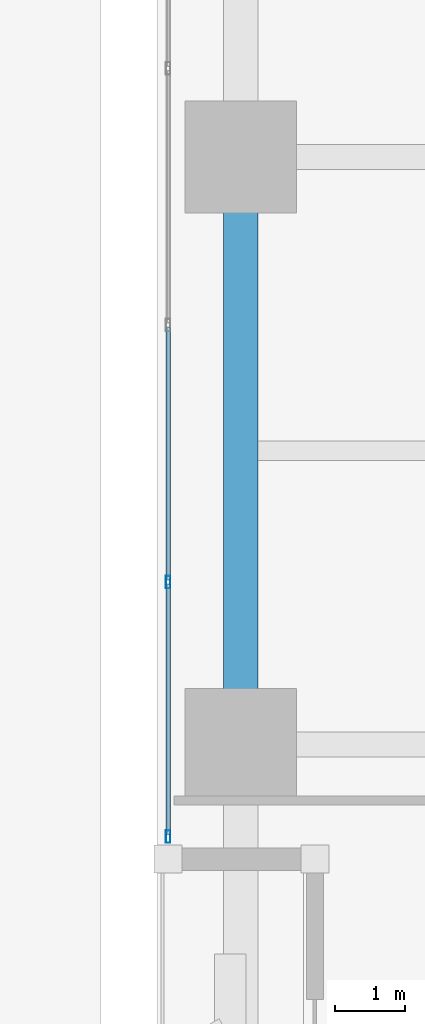
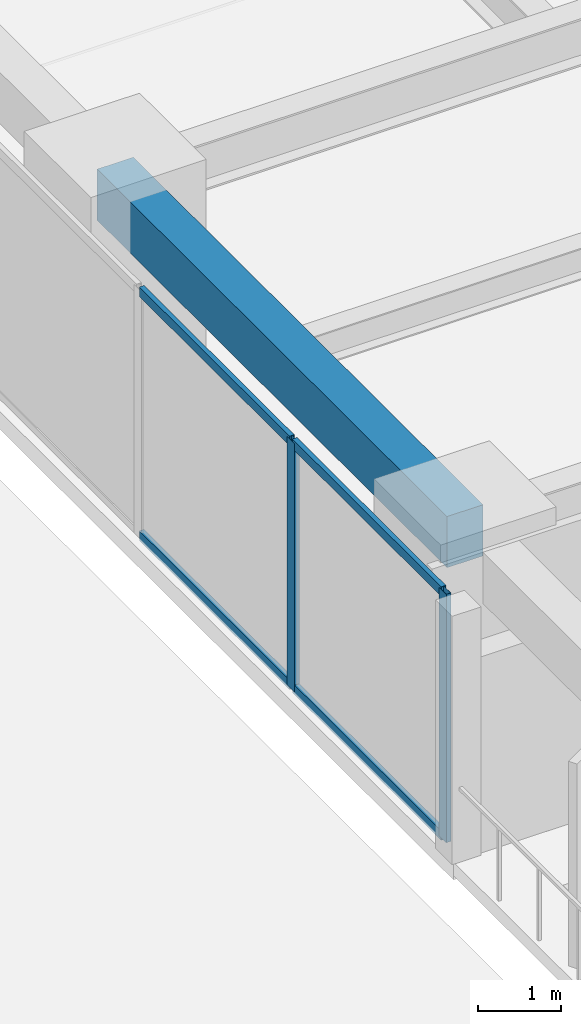
# One storey, part 2 of 38: 6 members, 1 beam, 1 element without a shape of its own.
"""IFC4 building model written with IfcOpenShell, lengths in metres."""

from ifc_helpers import new_model, si_unit, direction, frame, origin, origin_2d, place, context, subcontext, project, spatial, rectangle, hollow_rectangle, extrude, material, layer, layer_set, material_profile, profile_set, type_object, element, aggregate, save


model = new_model("IFC4")

# Units and contexts
model_context = context("Model", 3, precision=1e-05, world=origin(), true_north=direction((0.0, 1.0)))
body_context = subcontext(model_context, "Body", "Model", "MODEL_VIEW")
ifc_project = project(units=[si_unit("LENGTHUNIT", "METRE"), si_unit("AREAUNIT", "SQUARE_METRE"), si_unit("VOLUMEUNIT", "CUBIC_METRE"), si_unit("PLANEANGLEUNIT", "RADIAN"), si_unit("MASSUNIT", "GRAM", prefix="KILO")], contexts=[model_context])

# Site, building, storey
site_placement = place(None, origin())
site = spatial("IfcSite", under=ifc_project, at=site_placement, CompositionType="ELEMENT")
building_placement = place(site_placement, origin())
building = spatial("IfcBuilding", under=site, at=building_placement, Name="Kiyonajd Concourse Tower", CompositionType="ELEMENT")
storey_placement = place(building_placement, frame((0.0, 0.0, 21.60009765625)))
storey = spatial("IfcBuildingStorey", under=building, at=storey_placement, Name="L06", CompositionType="ELEMENT", Elevation=21.60009765625)

# Beam
ifc_material_1 = material(Name="Precast concrete C50/60", Category="concrete")
ifc_material_profile_1 = material_profile(ifc_material_1, rectangle(XDim=0.5, YDim=0.75, at=origin_2d()), Name="RCBM-500x750")
ifc_profile_set_1 = profile_set([ifc_material_profile_1], Name="Precast concrete C50/60")
beam_type = type_object("IfcBeamType", Name="BM-SPAN-RC", PredefinedType="SPANDREL", material=ifc_profile_set_1)
beam_placement = place(storey_placement, frame((19.199951171875, 44.39990234375, 3.264892578125), z_axis=(0.0, -1.0, 0.0), x_axis=(1.0, 0.0, 0.0)))
element("IfcBeam", 1, at=beam_placement, inside=storey, type_object=beam_type, Name="L06 Perimeter Bundled Tube Spandrel", PredefinedType="SPANDREL", context=body_context, shape_type="SweptSolid", body=[
    extrude(rectangle(XDim=0.5, YDim=0.75, at=origin_2d()), origin(), (0.0, 0.0, 1.0), 8.39990234375),
])

# Curtain wall, members
ifc_material_2 = material(Name="Thermally Broken Anodised Aluminium", Category="aluminium")
ifc_layer = layer(ifc_material_2, 0.179931640625)
ifc_layer_set = layer_set([ifc_layer], Name="Thermally Broken Anodised Aluminium")
curtain_wall_type = type_object("IfcCurtainWallType", Name="CW-SYS-02", PredefinedType="NOTDEFINED", material=ifc_layer_set)
curtain_wall_placement = place(storey_placement, origin())
curtain_wall = element("IfcCurtainWall", 2, at=curtain_wall_placement, inside=storey, type_object=curtain_wall_type, Name="L06 Unitised Curtain Wall CW2", PredefinedType="NOTDEFINED")
ifc_material_profile_2 = material_profile(ifc_material_2, hollow_rectangle(XDim=0.06494140625, YDim=0.179931640625, WallThickness=0.00390625, at=origin_2d()), Name="MULL-65x180")
ifc_profile_set_2 = profile_set([ifc_material_profile_2], Name="Thermally Broken Anodised Aluminium")
member_type_1 = type_object("IfcMemberType", Name="MB-CW-MULL1", PredefinedType="MULLION", material=ifc_profile_set_2)
member_1_placement = place(storey_placement, frame((18.159912109375, 34.6826171875, 0.0), z_axis=(0.0, 0.0, 1.0), x_axis=(-1.0, 0.0, 0.0)))
member_1 = element("IfcMember", 3, at=member_1_placement, type_object=member_type_1, Name="CW2 mullion 1", PredefinedType="MULLION", context=body_context, shape_type="SweptSolid", body=[
    extrude(hollow_rectangle(XDim=0.06494140625, YDim=0.179931640625, WallThickness=0.00390625, at=origin_2d()), origin(), (0.0, 0.0, 1.0), 3.639892578125),
])
member_2_placement = place(storey_placement, frame((18.159912109375, 38.3232421875, 0.0), z_axis=(0.0, 0.0, 1.0), x_axis=(-1.0, 0.0, 0.0)))
member_2 = element("IfcMember", 4, at=member_2_placement, type_object=member_type_1, Name="CW2 mullion 2", PredefinedType="MULLION", context=body_context, shape_type="SweptSolid", body=[
    extrude(hollow_rectangle(XDim=0.06494140625, YDim=0.179931640625, WallThickness=0.00390625, at=origin_2d()), origin(), (0.0, 0.0, 1.0), 3.639892578125),
])
ifc_material_profile_3 = material_profile(ifc_material_2, hollow_rectangle(XDim=0.06494140625, YDim=0.139892578125, WallThickness=0.00390625, at=origin_2d()), Name="TRAN-65x140")
ifc_profile_set_3 = profile_set([ifc_material_profile_3], Name="Thermally Broken Anodised Aluminium")
member_type_2 = type_object("IfcMemberType", Name="MB-CW-TRAN1", PredefinedType="USERDEFINED", material=ifc_profile_set_3)
member_3_placement = place(storey_placement, frame((18.159912109375, 34.715087890625, 0.032470703125), z_axis=(0.0, 1.0, 0.0), x_axis=(-1.0, 0.0, 0.0)))
member_3 = element("IfcMember", 5, at=member_3_placement, type_object=member_type_2, Name="CW2 transom 1.1", ObjectType="TRANSOM", PredefinedType="USERDEFINED", context=body_context, shape_type="SweptSolid", body=[
    extrude(hollow_rectangle(XDim=0.06494140625, YDim=0.139892578125, WallThickness=0.00390625, at=origin_2d()), origin(), (0.0, 0.0, 1.0), 3.57568359375),
])
member_4_placement = place(storey_placement, frame((18.159912109375, 34.715087890625, 3.607421875), z_axis=(0.0, 1.0, 0.0), x_axis=(-1.0, 0.0, 0.0)))
member_4 = element("IfcMember", 6, at=member_4_placement, type_object=member_type_2, Name="CW2 transom 1.2", ObjectType="TRANSOM", PredefinedType="USERDEFINED", context=body_context, shape_type="SweptSolid", body=[
    extrude(hollow_rectangle(XDim=0.06494140625, YDim=0.139892578125, WallThickness=0.00390625, at=origin_2d()), origin(), (0.0, 0.0, 1.0), 3.57568359375),
])
member_5_placement = place(storey_placement, frame((18.159912109375, 38.355712890625, 0.032470703125), z_axis=(0.0, 1.0, 0.0), x_axis=(-1.0, 0.0, 0.0)))
member_5 = element("IfcMember", 7, at=member_5_placement, type_object=member_type_2, Name="CW2 transom 2.1", ObjectType="TRANSOM", PredefinedType="USERDEFINED", context=body_context, shape_type="SweptSolid", body=[
    extrude(hollow_rectangle(XDim=0.06494140625, YDim=0.139892578125, WallThickness=0.00390625, at=origin_2d()), origin(), (0.0, 0.0, 1.0), 3.608154296875),
])
member_6_placement = place(storey_placement, frame((18.159912109375, 38.355712890625, 3.607421875), z_axis=(0.0, 1.0, 0.0), x_axis=(-1.0, 0.0, 0.0)))
member_6 = element("IfcMember", 8, at=member_6_placement, type_object=member_type_2, Name="CW2 transom 2.2", ObjectType="TRANSOM", PredefinedType="USERDEFINED", context=body_context, shape_type="SweptSolid", body=[
    extrude(hollow_rectangle(XDim=0.06494140625, YDim=0.139892578125, WallThickness=0.00390625, at=origin_2d()), origin(), (0.0, 0.0, 1.0), 3.608154296875),
])
aggregate(curtain_wall, [member_1, member_2, member_3, member_4, member_5, member_6])

save(model, "model.ifc")
